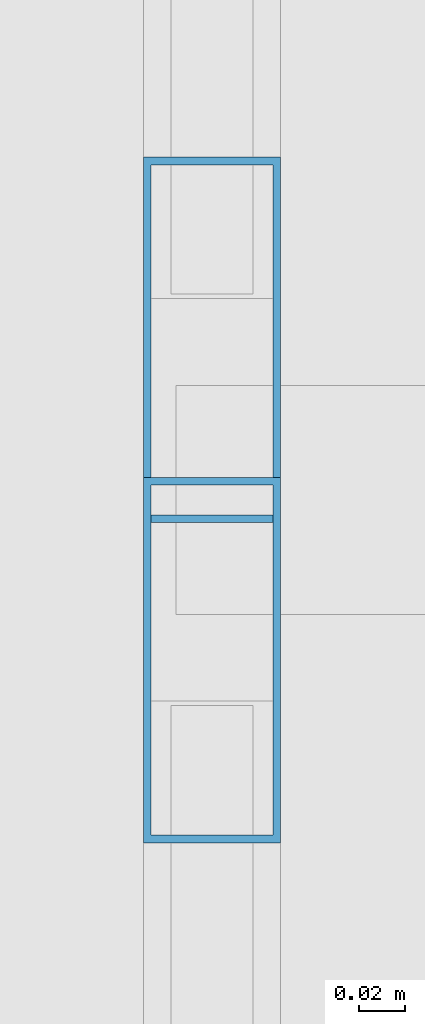
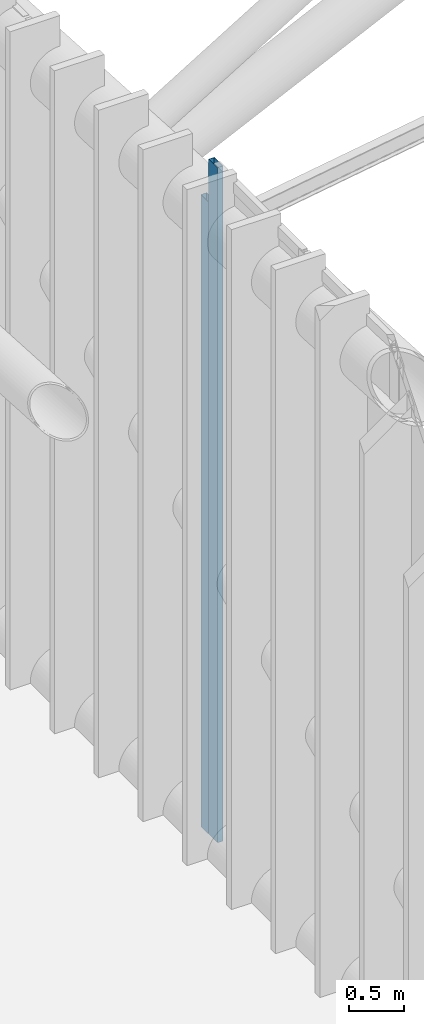
# One storey, part 179 of 397: 2 members, 2 elements without a shape of their own.
"""IFC4 building model written with IfcOpenShell, lengths in metres."""

from ifc_helpers import new_model, si_unit, direction, frame, origin, origin_2d, place, context, subcontext, project, spatial, hollow_rectangle, extrude, material, material_profile, profile_set, type_object, element, aggregate, save


model = new_model("IFC4")

# Units and contexts
model_context = context("Model", 3, precision=1e-05, world=origin(), true_north=direction((0.0, 1.0)))
body_context = subcontext(model_context, "Body", "Model", "MODEL_VIEW")
ifc_project = project(units=[si_unit("LENGTHUNIT", "METRE"), si_unit("AREAUNIT", "SQUARE_METRE"), si_unit("VOLUMEUNIT", "CUBIC_METRE"), si_unit("PLANEANGLEUNIT", "RADIAN"), si_unit("MASSUNIT", "GRAM", prefix="KILO")], contexts=[model_context])

# Site, building, storey
site_placement = place(None, origin())
site = spatial("IfcSite", under=ifc_project, at=site_placement, CompositionType="ELEMENT")
building_placement = place(site_placement, origin())
building = spatial("IfcBuilding", under=site, at=building_placement, Name="Qandorah Velis Arena", CompositionType="ELEMENT")
storey_placement = place(building_placement, frame((0.0, 0.0, 27.5)))
storey = spatial("IfcBuildingStorey", under=building, at=storey_placement, Name="RF", CompositionType="ELEMENT", Elevation=27.5)

# Curtain wall, member
ifc_material_1 = material(Name="Solar-control low-E double glazing", Category="glass")
curtain_wall_type_1 = type_object("IfcCurtainWallType", Name="ARC-CW-SYS05", PredefinedType="USERDEFINED", material=ifc_material_1)
curtain_wall_1_placement = place(storey_placement, origin())
curtain_wall_1 = element("IfcCurtainWall", 1, at=curtain_wall_1_placement, inside=storey, type_object=curtain_wall_type_1, Name="Unitised curtain wall CROWN-1-05S1", ObjectType="UNITISED CURTAIN WALL", PredefinedType="USERDEFINED")
ifc_material_2 = material(Name="Champagne-bronze anodized aluminium 6063-T6", Category="aluminium")
ifc_material_profile = material_profile(ifc_material_2, hollow_rectangle(XDim=0.06005859375, YDim=0.159912109375, WallThickness=0.00341796875, at=origin_2d()), Name="ALU MULLION 60x160")
ifc_profile_set = profile_set([ifc_material_profile], Name="Champagne-bronze anodized aluminium 6063-T6")
member_type = type_object("IfcMemberType", Name="ARC-CWM-160", PredefinedType="MULLION", material=ifc_profile_set)
member_1_placement = place(storey_placement, frame((14.39990234375, 79.1298828125, -0.014892578125), z_axis=(0.0, 0.0, 1.0), x_axis=(-1.0, 0.0, 0.0)))
member_1 = element("IfcMember", 2, at=member_1_placement, type_object=member_type, Name="CW05 mullion 5", PredefinedType="MULLION", context=body_context, shape_type="SweptSolid", body=[
    extrude(hollow_rectangle(XDim=0.06005859375, YDim=0.159912109375, WallThickness=0.00341796875, at=origin_2d()), origin(), (0.0, 0.0, 1.0), 7.452392578125),
])
aggregate(curtain_wall_1, [member_1])

curtain_wall_type_2 = type_object("IfcCurtainWallType", Name="ARC-CW-SYS06", PredefinedType="USERDEFINED", material=ifc_material_1)
curtain_wall_2_placement = place(storey_placement, origin())
curtain_wall_2 = element("IfcCurtainWall", 3, at=curtain_wall_2_placement, inside=storey, type_object=curtain_wall_type_2, Name="Unitised curtain wall CROWN-1-05S2", ObjectType="UNITISED CURTAIN WALL", PredefinedType="USERDEFINED")
member_2_placement = place(storey_placement, frame((14.39990234375, 79.27001953125, -0.014892578125), z_axis=(0.0, 0.0, 1.0), x_axis=(-1.0, 0.0, 0.0)))
member_2 = element("IfcMember", 4, at=member_2_placement, type_object=member_type, Name="CW06 mullion 1", PredefinedType="MULLION", context=body_context, shape_type="SweptSolid", body=[
    extrude(hollow_rectangle(XDim=0.06005859375, YDim=0.159912109375, WallThickness=0.00341796875, at=origin_2d()), origin(), (0.0, 0.0, 1.0), 6.9765625),
])
aggregate(curtain_wall_2, [member_2])

save(model, "model.ifc")
